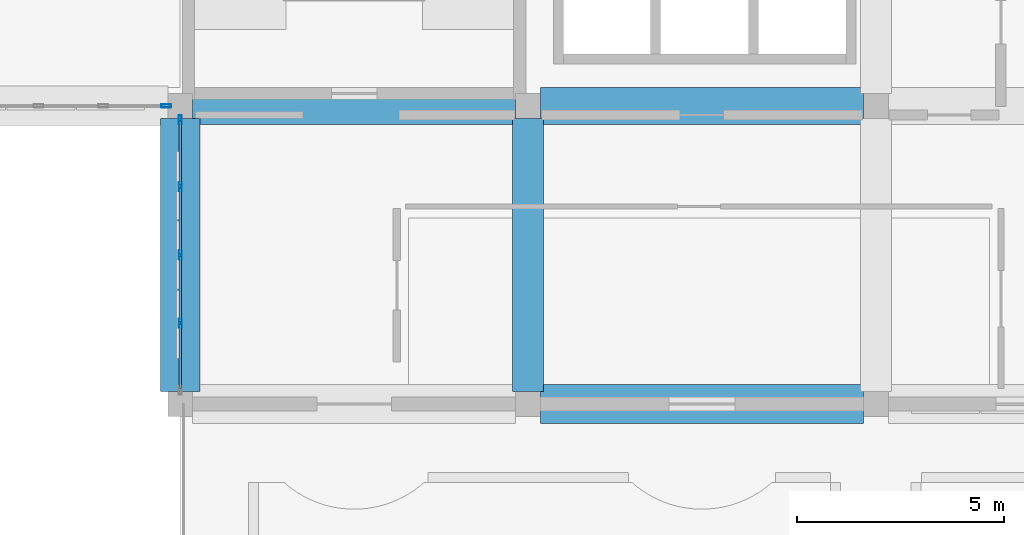
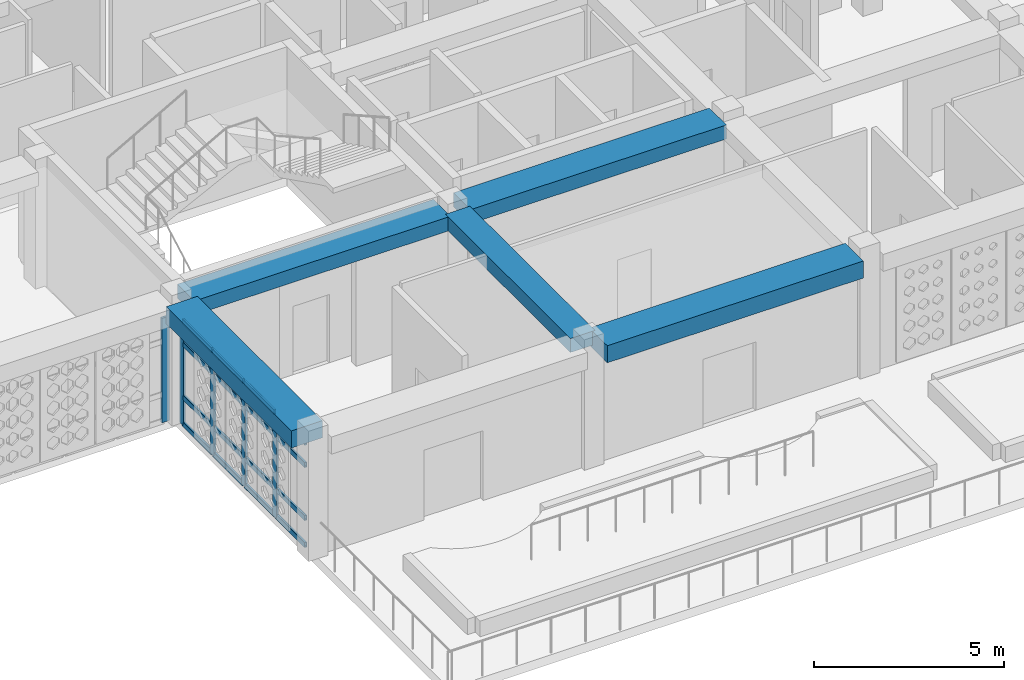
# One storey, part 4 of 48: 21 members, 5 beams, 2 elements without a shape of their own.
"""IFC4 building model written with IfcOpenShell, lengths in metres."""

from ifc_helpers import new_model, si_unit, derived_unit, direction, frame, origin, origin_2d, place, context, subcontext, project, spatial, rectangle, hollow_rectangle, extrude, material, material_profile, profile_set, type_object, element, aggregate, save


model = new_model("IFC4")

# Units and contexts
model_context = context("Model", 3, precision=1e-05, world=origin(), true_north=direction((0.0, 1.0)))
body_context = subcontext(model_context, "Body", "Model", "MODEL_VIEW")
ifc_project = project(units=[si_unit("LENGTHUNIT", "METRE"), si_unit("AREAUNIT", "SQUARE_METRE"), si_unit("VOLUMEUNIT", "CUBIC_METRE"), si_unit("PLANEANGLEUNIT", "RADIAN"), si_unit("MASSUNIT", "GRAM", prefix="KILO"), derived_unit("THERMALTRANSMITTANCEUNIT", [(si_unit("POWERUNIT", "WATT"), 1), (si_unit("LENGTHUNIT", "METRE"), -2), (si_unit("THERMODYNAMICTEMPERATUREUNIT", "KELVIN"), -1)])], contexts=[model_context])

# Site, building, storey
site_placement = place(None, origin())
site = spatial("IfcSite", under=ifc_project, at=site_placement, CompositionType="ELEMENT")
building_placement = place(site_placement, origin())
building = spatial("IfcBuilding", under=site, at=building_placement, Name="Veybourne Emporium", CompositionType="ELEMENT")
storey_placement = place(building_placement, frame((0.0, 0.0, 27.89990234375)))
storey = spatial("IfcBuildingStorey", under=building, at=storey_placement, Name="L06", CompositionType="ELEMENT", Elevation=27.89990234375)

# Curtain wall, member
ifc_material_1 = material(Name="Patinated Architectural Bronze", Category="bronze")
curtain_wall_type_1 = type_object("IfcCurtainWallType", Name="CWSystem_CWS-15", PredefinedType="NOTDEFINED", material=ifc_material_1)
curtain_wall_1_placement = place(storey_placement, origin())
curtain_wall_1 = element("IfcCurtainWall", 1, at=curtain_wall_1_placement, inside=storey, type_object=curtain_wall_type_1, Name="L06 bronze glazed curtain wall CWS-15 (008)", PredefinedType="NOTDEFINED")
ifc_material_profile_1 = material_profile(ifc_material_1, hollow_rectangle(XDim=0.077880859375, YDim=0.235107421875, WallThickness=0.0048828125, InnerFilletRadius=0.007568359375, OuterFilletRadius=0.012451171875, at=origin_2d()), Name="CWM 78x235x5")
ifc_profile_set_1 = profile_set([ifc_material_profile_1], Name="Patinated Architectural Bronze")
member_type_1 = type_object("IfcMemberType", Name="CWMullion_CW-M3", PredefinedType="MULLION", material=ifc_profile_set_1)
member_1_placement = place(storey_placement, frame((16.4609375, 14.39990234375, 0.0), z_axis=(0.0, 0.0, 1.0), x_axis=(0.0, -1.0, 0.0)))
member_1 = element("IfcMember", 2, at=member_1_placement, type_object=member_type_1, Name="CWS-15 mullion 1", PredefinedType="MULLION", context=body_context, shape_type="SweptSolid", body=[
    extrude(hollow_rectangle(XDim=0.077880859375, YDim=0.235107421875, WallThickness=0.0048828125, InnerFilletRadius=0.007568359375, OuterFilletRadius=0.012451171875, at=origin_2d()), origin(), (0.0, 0.0, 1.0), 3.360107421875),
])
aggregate(curtain_wall_1, [member_1])

# Curtain wall, members
curtain_wall_type_2 = type_object("IfcCurtainWallType", Name="CWSystem_CWS-16", PredefinedType="NOTDEFINED", material=ifc_material_1)
curtain_wall_2_placement = place(storey_placement, origin())
curtain_wall_2 = element("IfcCurtainWall", 3, at=curtain_wall_2_placement, inside=storey, type_object=curtain_wall_type_2, Name="L06 bronze glazed curtain wall CWS-16 (011)", PredefinedType="NOTDEFINED")
ifc_material_profile_2 = material_profile(ifc_material_1, hollow_rectangle(XDim=0.070068359375, YDim=0.219970703125, WallThickness=0.0048828125, InnerFilletRadius=0.007568359375, OuterFilletRadius=0.012451171875, at=origin_2d()), Name="CWM 70x220x5")
ifc_profile_set_2 = profile_set([ifc_material_profile_2], Name="Patinated Architectural Bronze")
member_type_2 = type_object("IfcMemberType", Name="CWMullion_CW-M4", PredefinedType="MULLION", material=ifc_profile_set_2)
member_2_placement = place(storey_placement, frame((16.800048828125, 9.14990234375, 0.0), z_axis=(0.0, 0.0, 1.0), x_axis=(-1.0, 0.0, 0.0)))
member_2 = element("IfcMember", 4, at=member_2_placement, type_object=member_type_2, Name="CWS-16 mullion 2", PredefinedType="MULLION", context=body_context, shape_type="SweptSolid", body=[
    extrude(hollow_rectangle(XDim=0.070068359375, YDim=0.219970703125, WallThickness=0.0048828125, InnerFilletRadius=0.007568359375, OuterFilletRadius=0.012451171875, at=origin_2d()), origin(), (0.0, 0.0, 1.0), 3.360107421875),
])
member_3_placement = place(storey_placement, frame((16.800048828125, 10.800048828125, 0.0), z_axis=(0.0, 0.0, 1.0), x_axis=(-1.0, 0.0, 0.0)))
member_3 = element("IfcMember", 5, at=member_3_placement, type_object=member_type_2, Name="CWS-16 mullion 3", PredefinedType="MULLION", context=body_context, shape_type="SweptSolid", body=[
    extrude(hollow_rectangle(XDim=0.070068359375, YDim=0.219970703125, WallThickness=0.0048828125, InnerFilletRadius=0.007568359375, OuterFilletRadius=0.012451171875, at=origin_2d()), origin(), (0.0, 0.0, 1.0), 3.360107421875),
])
member_4_placement = place(storey_placement, frame((16.800048828125, 12.449951171875, 0.0), z_axis=(0.0, 0.0, 1.0), x_axis=(-1.0, 0.0, 0.0)))
member_4 = element("IfcMember", 6, at=member_4_placement, type_object=member_type_2, Name="CWS-16 mullion 4", PredefinedType="MULLION", context=body_context, shape_type="SweptSolid", body=[
    extrude(hollow_rectangle(XDim=0.070068359375, YDim=0.219970703125, WallThickness=0.0048828125, InnerFilletRadius=0.007568359375, OuterFilletRadius=0.012451171875, at=origin_2d()), origin(), (0.0, 0.0, 1.0), 3.360107421875),
])
member_5_placement = place(storey_placement, frame((16.800048828125, 14.06494140625, 0.0), z_axis=(0.0, 0.0, 1.0), x_axis=(-1.0, 0.0, 0.0)))
member_5 = element("IfcMember", 7, at=member_5_placement, type_object=member_type_2, Name="CWS-16 mullion 5", PredefinedType="MULLION", context=body_context, shape_type="SweptSolid", body=[
    extrude(hollow_rectangle(XDim=0.070068359375, YDim=0.219970703125, WallThickness=0.0048828125, InnerFilletRadius=0.007568359375, OuterFilletRadius=0.012451171875, at=origin_2d()), origin(), (0.0, 0.0, 1.0), 3.360107421875),
])
ifc_material_profile_3 = material_profile(ifc_material_1, hollow_rectangle(XDim=0.070068359375, YDim=0.169921875, WallThickness=0.0048828125, InnerFilletRadius=0.007568359375, OuterFilletRadius=0.012451171875, at=origin_2d()), Name="CWT 70x170x5")
ifc_profile_set_3 = profile_set([ifc_material_profile_3], Name="Patinated Architectural Bronze")
member_type_3 = type_object("IfcMemberType", Name="CWTransom_CW-T4", PredefinedType="NOTDEFINED", material=ifc_profile_set_3)
member_6_placement = place(storey_placement, frame((16.800048828125, 7.570068359375, 0.03515625), z_axis=(0.0, 1.0, 0.0), x_axis=(-1.0, 0.0, 0.0)))
member_6 = element("IfcMember", 8, at=member_6_placement, type_object=member_type_3, Name="CWS-16 transom 1.1", ObjectType="TRANSOM", PredefinedType="USERDEFINED", context=body_context, shape_type="SweptSolid", body=[
    extrude(hollow_rectangle(XDim=0.070068359375, YDim=0.169921875, WallThickness=0.0048828125, InnerFilletRadius=0.007568359375, OuterFilletRadius=0.012451171875, at=origin_2d()), origin(), (0.0, 0.0, 1.0), 1.544921875),
])
member_7_placement = place(storey_placement, frame((16.800048828125, 7.570068359375, 0.900146484375), z_axis=(0.0, 1.0, 0.0), x_axis=(-1.0, 0.0, 0.0)))
member_7 = element("IfcMember", 9, at=member_7_placement, type_object=member_type_3, Name="CWS-16 transom 1.2", ObjectType="TRANSOM", PredefinedType="USERDEFINED", context=body_context, shape_type="SweptSolid", body=[
    extrude(hollow_rectangle(XDim=0.070068359375, YDim=0.169921875, WallThickness=0.0048828125, InnerFilletRadius=0.007568359375, OuterFilletRadius=0.012451171875, at=origin_2d()), origin(), (0.0, 0.0, 1.0), 1.544921875),
])
member_8_placement = place(storey_placement, frame((16.800048828125, 7.570068359375, 2.610107421875), z_axis=(0.0, 1.0, 0.0), x_axis=(-1.0, 0.0, 0.0)))
member_8 = element("IfcMember", 10, at=member_8_placement, type_object=member_type_3, Name="CWS-16 transom 1.3", ObjectType="TRANSOM", PredefinedType="USERDEFINED", context=body_context, shape_type="SweptSolid", body=[
    extrude(hollow_rectangle(XDim=0.070068359375, YDim=0.169921875, WallThickness=0.0048828125, InnerFilletRadius=0.007568359375, OuterFilletRadius=0.012451171875, at=origin_2d()), origin(), (0.0, 0.0, 1.0), 1.544921875),
])
member_9_placement = place(storey_placement, frame((16.800048828125, 7.570068359375, 3.3251953125), z_axis=(0.0, 1.0, 0.0), x_axis=(-1.0, 0.0, 0.0)))
member_9 = element("IfcMember", 11, at=member_9_placement, type_object=member_type_3, Name="CWS-16 transom 1.4", ObjectType="TRANSOM", PredefinedType="USERDEFINED", context=body_context, shape_type="SweptSolid", body=[
    extrude(hollow_rectangle(XDim=0.070068359375, YDim=0.169921875, WallThickness=0.0048828125, InnerFilletRadius=0.007568359375, OuterFilletRadius=0.012451171875, at=origin_2d()), origin(), (0.0, 0.0, 1.0), 1.544921875),
])
member_10_placement = place(storey_placement, frame((16.800048828125, 9.18505859375, 0.03515625), z_axis=(0.0, 1.0, 0.0), x_axis=(-1.0, 0.0, 0.0)))
member_10 = element("IfcMember", 12, at=member_10_placement, type_object=member_type_3, Name="CWS-16 transom 2.1", ObjectType="TRANSOM", PredefinedType="USERDEFINED", context=body_context, shape_type="SweptSolid", body=[
    extrude(hollow_rectangle(XDim=0.070068359375, YDim=0.169921875, WallThickness=0.0048828125, InnerFilletRadius=0.007568359375, OuterFilletRadius=0.012451171875, at=origin_2d()), origin(), (0.0, 0.0, 1.0), 1.579833984375),
])
member_11_placement = place(storey_placement, frame((16.800048828125, 9.18505859375, 0.900146484375), z_axis=(0.0, 1.0, 0.0), x_axis=(-1.0, 0.0, 0.0)))
member_11 = element("IfcMember", 13, at=member_11_placement, type_object=member_type_3, Name="CWS-16 transom 2.2", ObjectType="TRANSOM", PredefinedType="USERDEFINED", context=body_context, shape_type="SweptSolid", body=[
    extrude(hollow_rectangle(XDim=0.070068359375, YDim=0.169921875, WallThickness=0.0048828125, InnerFilletRadius=0.007568359375, OuterFilletRadius=0.012451171875, at=origin_2d()), origin(), (0.0, 0.0, 1.0), 1.579833984375),
])
member_12_placement = place(storey_placement, frame((16.800048828125, 9.18505859375, 2.610107421875), z_axis=(0.0, 1.0, 0.0), x_axis=(-1.0, 0.0, 0.0)))
member_12 = element("IfcMember", 14, at=member_12_placement, type_object=member_type_3, Name="CWS-16 transom 2.3", ObjectType="TRANSOM", PredefinedType="USERDEFINED", context=body_context, shape_type="SweptSolid", body=[
    extrude(hollow_rectangle(XDim=0.070068359375, YDim=0.169921875, WallThickness=0.0048828125, InnerFilletRadius=0.007568359375, OuterFilletRadius=0.012451171875, at=origin_2d()), origin(), (0.0, 0.0, 1.0), 1.579833984375),
])
member_13_placement = place(storey_placement, frame((16.800048828125, 9.18505859375, 3.3251953125), z_axis=(0.0, 1.0, 0.0), x_axis=(-1.0, 0.0, 0.0)))
member_13 = element("IfcMember", 15, at=member_13_placement, type_object=member_type_3, Name="CWS-16 transom 2.4", ObjectType="TRANSOM", PredefinedType="USERDEFINED", context=body_context, shape_type="SweptSolid", body=[
    extrude(hollow_rectangle(XDim=0.070068359375, YDim=0.169921875, WallThickness=0.0048828125, InnerFilletRadius=0.007568359375, OuterFilletRadius=0.012451171875, at=origin_2d()), origin(), (0.0, 0.0, 1.0), 1.579833984375),
])
member_14_placement = place(storey_placement, frame((16.800048828125, 10.8349609375, 0.03515625), z_axis=(0.0, 1.0, 0.0), x_axis=(-1.0, 0.0, 0.0)))
member_14 = element("IfcMember", 16, at=member_14_placement, type_object=member_type_3, Name="CWS-16 transom 3.1", ObjectType="TRANSOM", PredefinedType="USERDEFINED", context=body_context, shape_type="SweptSolid", body=[
    extrude(hollow_rectangle(XDim=0.070068359375, YDim=0.169921875, WallThickness=0.0048828125, InnerFilletRadius=0.007568359375, OuterFilletRadius=0.012451171875, at=origin_2d()), origin(), (0.0, 0.0, 1.0), 1.580078125),
])
member_15_placement = place(storey_placement, frame((16.800048828125, 10.8349609375, 0.900146484375), z_axis=(0.0, 1.0, 0.0), x_axis=(-1.0, 0.0, 0.0)))
member_15 = element("IfcMember", 17, at=member_15_placement, type_object=member_type_3, Name="CWS-16 transom 3.2", ObjectType="TRANSOM", PredefinedType="USERDEFINED", context=body_context, shape_type="SweptSolid", body=[
    extrude(hollow_rectangle(XDim=0.070068359375, YDim=0.169921875, WallThickness=0.0048828125, InnerFilletRadius=0.007568359375, OuterFilletRadius=0.012451171875, at=origin_2d()), origin(), (0.0, 0.0, 1.0), 1.580078125),
])
member_16_placement = place(storey_placement, frame((16.800048828125, 10.8349609375, 2.610107421875), z_axis=(0.0, 1.0, 0.0), x_axis=(-1.0, 0.0, 0.0)))
member_16 = element("IfcMember", 18, at=member_16_placement, type_object=member_type_3, Name="CWS-16 transom 3.3", ObjectType="TRANSOM", PredefinedType="USERDEFINED", context=body_context, shape_type="SweptSolid", body=[
    extrude(hollow_rectangle(XDim=0.070068359375, YDim=0.169921875, WallThickness=0.0048828125, InnerFilletRadius=0.007568359375, OuterFilletRadius=0.012451171875, at=origin_2d()), origin(), (0.0, 0.0, 1.0), 1.580078125),
])
member_17_placement = place(storey_placement, frame((16.800048828125, 10.8349609375, 3.3251953125), z_axis=(0.0, 1.0, 0.0), x_axis=(-1.0, 0.0, 0.0)))
member_17 = element("IfcMember", 19, at=member_17_placement, type_object=member_type_3, Name="CWS-16 transom 3.4", ObjectType="TRANSOM", PredefinedType="USERDEFINED", context=body_context, shape_type="SweptSolid", body=[
    extrude(hollow_rectangle(XDim=0.070068359375, YDim=0.169921875, WallThickness=0.0048828125, InnerFilletRadius=0.007568359375, OuterFilletRadius=0.012451171875, at=origin_2d()), origin(), (0.0, 0.0, 1.0), 1.580078125),
])
member_18_placement = place(storey_placement, frame((16.800048828125, 12.485107421875, 0.03515625), z_axis=(0.0, 1.0, 0.0), x_axis=(-1.0, 0.0, 0.0)))
member_18 = element("IfcMember", 20, at=member_18_placement, type_object=member_type_3, Name="CWS-16 transom 4.1", ObjectType="TRANSOM", PredefinedType="USERDEFINED", context=body_context, shape_type="SweptSolid", body=[
    extrude(hollow_rectangle(XDim=0.070068359375, YDim=0.169921875, WallThickness=0.0048828125, InnerFilletRadius=0.007568359375, OuterFilletRadius=0.012451171875, at=origin_2d()), origin(), (0.0, 0.0, 1.0), 1.544921875),
])
member_19_placement = place(storey_placement, frame((16.800048828125, 12.485107421875, 0.900146484375), z_axis=(0.0, 1.0, 0.0), x_axis=(-1.0, 0.0, 0.0)))
member_19 = element("IfcMember", 21, at=member_19_placement, type_object=member_type_3, Name="CWS-16 transom 4.2", ObjectType="TRANSOM", PredefinedType="USERDEFINED", context=body_context, shape_type="SweptSolid", body=[
    extrude(hollow_rectangle(XDim=0.070068359375, YDim=0.169921875, WallThickness=0.0048828125, InnerFilletRadius=0.007568359375, OuterFilletRadius=0.012451171875, at=origin_2d()), origin(), (0.0, 0.0, 1.0), 1.544921875),
])
member_20_placement = place(storey_placement, frame((16.800048828125, 12.485107421875, 2.610107421875), z_axis=(0.0, 1.0, 0.0), x_axis=(-1.0, 0.0, 0.0)))
member_20 = element("IfcMember", 22, at=member_20_placement, type_object=member_type_3, Name="CWS-16 transom 4.3", ObjectType="TRANSOM", PredefinedType="USERDEFINED", context=body_context, shape_type="SweptSolid", body=[
    extrude(hollow_rectangle(XDim=0.070068359375, YDim=0.169921875, WallThickness=0.0048828125, InnerFilletRadius=0.007568359375, OuterFilletRadius=0.012451171875, at=origin_2d()), origin(), (0.0, 0.0, 1.0), 1.544921875),
])
member_21_placement = place(storey_placement, frame((16.800048828125, 12.485107421875, 3.3251953125), z_axis=(0.0, 1.0, 0.0), x_axis=(-1.0, 0.0, 0.0)))
member_21 = element("IfcMember", 23, at=member_21_placement, type_object=member_type_3, Name="CWS-16 transom 4.4", ObjectType="TRANSOM", PredefinedType="USERDEFINED", context=body_context, shape_type="SweptSolid", body=[
    extrude(hollow_rectangle(XDim=0.070068359375, YDim=0.169921875, WallThickness=0.0048828125, InnerFilletRadius=0.007568359375, OuterFilletRadius=0.012451171875, at=origin_2d()), origin(), (0.0, 0.0, 1.0), 1.544921875),
])
aggregate(curtain_wall_2, [member_2, member_3, member_4, member_5, member_6, member_7, member_8, member_9, member_10, member_11, member_12, member_13, member_14, member_15, member_16, member_17, member_18, member_19, member_20, member_21])

# Beams
ifc_material_2 = material(Name="Concrete C32/40", Category="concrete")
ifc_material_profile_4 = material_profile(ifc_material_2, rectangle(XDim=0.89990234375, YDim=0.449951171875, at=origin_2d()), Name="RC 900x450")
ifc_profile_set_4 = profile_set([ifc_material_profile_4], Name="Concrete C32/40")
beam_type_1 = type_object("IfcBeamType", Name="RCBeam_BB-03", PredefinedType="BEAM", material=ifc_profile_set_4)
beam_1_placement = place(storey_placement, frame((17.10009765625, 14.39990234375, 3.68505859375), z_axis=(1.0, 0.0, 0.0), x_axis=(0.0, 1.0, 0.0)))
element("IfcBeam", 24, at=beam_1_placement, inside=storey, type_object=beam_type_1, Name="L06 X-grid beam BB-03 (2,2)", PredefinedType="BEAM", context=body_context, shape_type="SweptSolid", body=[
    extrude(rectangle(XDim=0.89990234375, YDim=0.449951171875, at=origin_2d()), origin(), (0.0, 0.0, 1.0), 7.7998046875),
])
beam_2_placement = place(storey_placement, frame((25.5, 14.39990234375, 3.68505859375), z_axis=(1.0, 0.0, 0.0), x_axis=(0.0, 1.0, 0.0)))
element("IfcBeam", 25, at=beam_2_placement, inside=storey, type_object=beam_type_1, Name="L06 X-grid beam BB-03 (3,2)", PredefinedType="BEAM", context=body_context, shape_type="SweptSolid", body=[
    extrude(rectangle(XDim=0.89990234375, YDim=0.449951171875, at=origin_2d()), origin(), (0.0, 0.0, 1.0), 7.800048828125),
])
ifc_material_profile_5 = material_profile(ifc_material_2, rectangle(XDim=0.75, YDim=0.449951171875, at=origin_2d()), Name="RC 750x450")
ifc_profile_set_5 = profile_set([ifc_material_profile_5], Name="Concrete C32/40")
beam_type_2 = type_object("IfcBeamType", Name="RCBeam_BB-04", PredefinedType="BEAM", material=ifc_profile_set_5)
beam_3_placement = place(storey_placement, frame((25.199951171875, 7.5, 3.68505859375), z_axis=(0.0, 1.0, 0.0), x_axis=(-1.0, 0.0, 0.0)))
element("IfcBeam", 26, at=beam_3_placement, inside=storey, type_object=beam_type_2, Name="L06 Y-grid beam BB-04 (3,1)", PredefinedType="BEAM", context=body_context, shape_type="SweptSolid", body=[
    extrude(rectangle(XDim=0.75, YDim=0.449951171875, at=origin_2d()), origin(), (0.0, 0.0, 1.0), 6.60009765625),
])
ifc_material_profile_6 = material_profile(ifc_material_2, rectangle(XDim=0.949951171875, YDim=0.550048828125, at=origin_2d()), Name="RC 950x550")
ifc_profile_set_6 = profile_set([ifc_material_profile_6], Name="Concrete C32/40")
beam_type_3 = type_object("IfcBeamType", Name="RCBeam_EB-01", PredefinedType="SPANDREL", material=ifc_profile_set_6)
beam_4_placement = place(storey_placement, frame((25.5, 7.199951171875, 3.635009765625), z_axis=(1.0, 0.0, 0.0), x_axis=(0.0, 1.0, 0.0)))
element("IfcBeam", 27, at=beam_4_placement, inside=storey, type_object=beam_type_3, Name="L06 X-grid beam EB-01 (3,1)", PredefinedType="SPANDREL", context=body_context, shape_type="SweptSolid", body=[
    extrude(rectangle(XDim=0.949951171875, YDim=0.550048828125, at=origin_2d()), origin(), (0.0, 0.0, 1.0), 7.800048828125),
])
beam_5_placement = place(storey_placement, frame((16.800048828125, 7.5, 3.635009765625), z_axis=(0.0, 1.0, 0.0), x_axis=(-1.0, 0.0, 0.0)))
element("IfcBeam", 28, at=beam_5_placement, inside=storey, type_object=beam_type_3, Name="L06 Y-grid beam EB-01 (2,1)", PredefinedType="SPANDREL", context=body_context, shape_type="SweptSolid", body=[
    extrude(rectangle(XDim=0.949951171875, YDim=0.550048828125, at=origin_2d()), origin(), (0.0, 0.0, 1.0), 6.60009765625),
])

save(model, "model.ifc")
